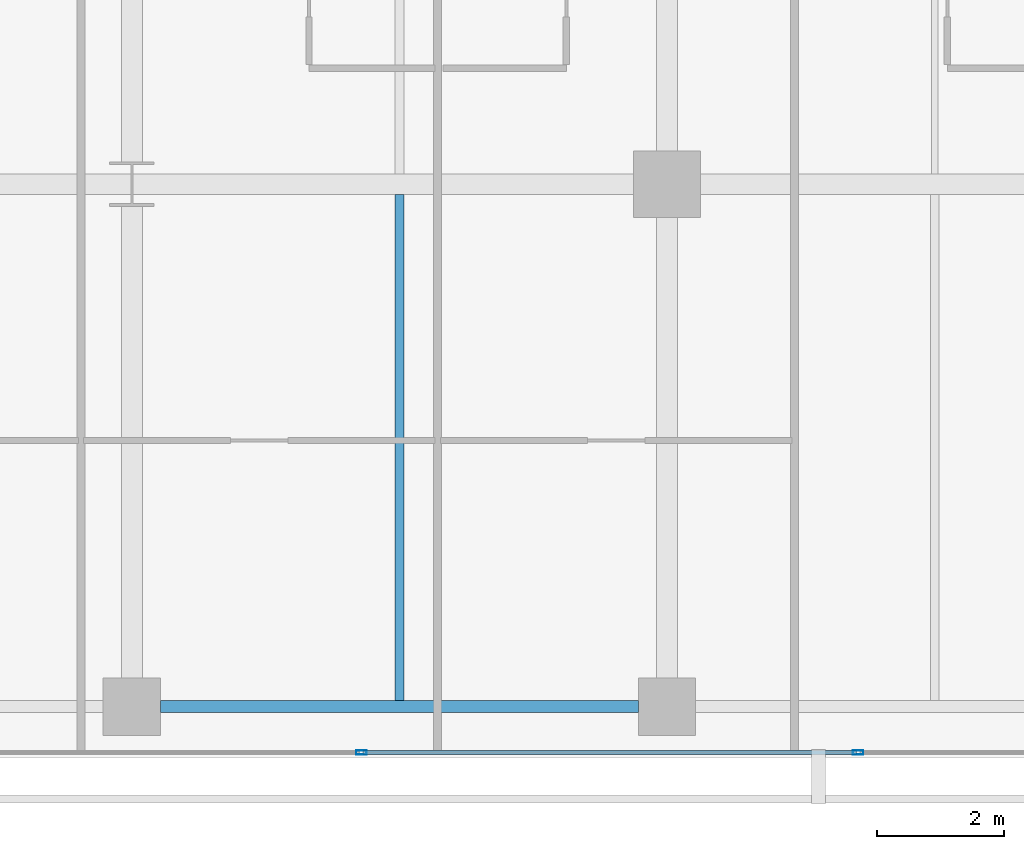
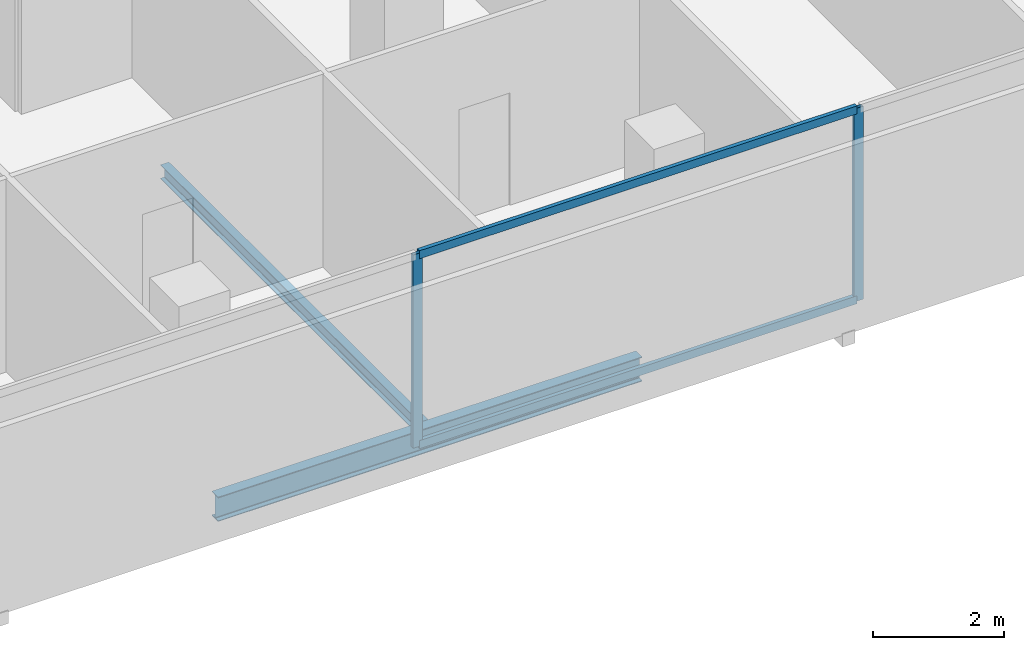
# One storey, part 14 of 40: 4 members, 2 beams, 1 element without a shape of its own.
"""IFC4 building model written with IfcOpenShell, lengths in metres."""

import ifcopenshell
import ifcopenshell.guid

model = None  # the IFC model being written
_history = None  # IfcOwnerHistory: only IFC2X3 demands one
_inside = {}  # id of a spatial element -> (the spatial element, [elements in it])
_under = {}  # id of a project, library or spatial element -> (it, [spatial elements below it])
_declared = {}  # id of a project -> (the project, [libraries it declares])
_typed = {}  # id of a type object -> (the type object, [elements of that type])
_made_of = {}  # id of a material, layer set ... -> (it, [elements and type objects made of it])


def new_model(schema):
    """Start an empty IFC model of exactly this schema.

    Asked for "IFC4X3", IfcOpenShell would pick the latest addendum, in which some entities
    have other attributes; the version numbers below select the first issue.
    IFC2X3 requires an IfcOwnerHistory on every rooted entity: one is made here for all.
    """
    global model, _history
    if schema == "IFC4X3":
        model = ifcopenshell.file(schema_version=(4, 3, 0, 0))
    else:
        model = ifcopenshell.file(schema=schema)
    _inside.clear()
    _under.clear()
    _declared.clear()
    _typed.clear()
    _made_of.clear()
    _history = None
    if model.schema == "IFC2X3":
        org = make("IfcOrganization", Name="unknown")
        user = make(
            "IfcPersonAndOrganization",
            ThePerson=make("IfcPerson", FamilyName="unknown"),
            TheOrganization=org,
        )
        app = make(
            "IfcApplication",
            ApplicationDeveloper=org,
            Version="unknown",
            ApplicationFullName="unknown",
            ApplicationIdentifier="unknown",
        )
        _history = make(
            "IfcOwnerHistory",
            OwningUser=user,
            OwningApplication=app,
            ChangeAction="ADDED",
            CreationDate=0,
        )
    return model


def make(cls, **values):
    """One entity of the class cls with the attributes given. An attribute that is None is left unset."""
    return model.create_entity(
        cls, **{name: value for name, value in values.items() if value is not None}
    )


def rooted(cls, **values):
    """An entity with a GlobalId (a new one), such as an element, a storey or a relation."""
    return make(cls, GlobalId=ifcopenshell.guid.new(), OwnerHistory=_history, **values)


def si_unit(unit_type, name, prefix=None):
    """IfcSIUnit, for example si_unit("LENGTHUNIT", "METRE", prefix="MILLI")."""
    return make("IfcSIUnit", UnitType=unit_type, Prefix=prefix, Name=name)


def assignment(units):
    """IfcUnitAssignment: the units of a project."""
    return None if units is None else make("IfcUnitAssignment", Units=units)


def point(xyz):
    """IfcCartesianPoint."""
    return None if xyz is None else make("IfcCartesianPoint", Coordinates=xyz)


def direction(xyz):
    """IfcDirection."""
    return None if xyz is None else make("IfcDirection", DirectionRatios=xyz)


def frame(location, z_axis=None, x_axis=None):
    """IfcAxis2Placement3D, a coordinate frame: its origin and axes. An axis left out is left unset."""
    return make(
        "IfcAxis2Placement3D",
        Location=point(location),
        Axis=direction(z_axis),
        RefDirection=direction(x_axis),
    )


def frame_2d(location, x_axis=None):
    """IfcAxis2Placement2D, a coordinate frame in the plane: its origin and x axis."""
    return make(
        "IfcAxis2Placement2D", Location=point(location), RefDirection=direction(x_axis)
    )


def origin():
    """The frame at (0, 0, 0) with its axes left unset."""
    return frame((0.0, 0.0, 0.0))


def origin_2d():
    """The frame at (0, 0) in the plane with its x axis left unset."""
    return frame_2d((0.0, 0.0))


def place(relative_to, where):
    """IfcLocalPlacement: puts the frame where relative to a parent placement (None: the world)."""
    return make(
        "IfcLocalPlacement", PlacementRelTo=relative_to, RelativePlacement=where
    )


def context(
    kind, dimensions, precision=None, world=None, true_north=None, identifier=None
):
    """IfcGeometricRepresentationContext, for example the 3D "Model" context."""
    return make(
        "IfcGeometricRepresentationContext",
        ContextIdentifier=identifier,
        ContextType=kind,
        CoordinateSpaceDimension=dimensions,
        Precision=precision,
        WorldCoordinateSystem=world,
        TrueNorth=true_north,
    )


def subcontext(parent, identifier, kind, view, scale=None):
    """IfcGeometricRepresentationSubContext, for example "Body" below "Model"."""
    return make(
        "IfcGeometricRepresentationSubContext",
        ContextIdentifier=identifier,
        ContextType=kind,
        ParentContext=parent,
        TargetScale=scale,
        TargetView=view,
    )


def project(units=None, contexts=None):
    """IfcProject with its units and contexts."""
    return rooted(
        "IfcProject",
        Name="project",
        RepresentationContexts=contexts,
        UnitsInContext=assignment(units),
    )


def spatial(cls, under=None, at=None, **own):
    """A site, building, storey or space (cls), placed at a placement, below another one or the project."""
    s = rooted(cls, ObjectPlacement=at, **own)
    if under is not None:
        _under.setdefault(under.id(), (under, []))[1].append(s)
    return s


def profile(cls, at=None, kind="AREA", **sizes):
    """A parametric profile (cls). Its sizes go by their IFC names, for example OverallWidth=200.0."""
    return make(cls, ProfileType=kind, Position=at, **sizes)


def hollow_rectangle(**sizes):
    """IfcRectangleHollowProfileDef."""
    return profile("IfcRectangleHollowProfileDef", **sizes)


def i_section(**sizes):
    """IfcIShapeProfileDef."""
    return profile("IfcIShapeProfileDef", **sizes)


def extrude(swept, where, along, depth):
    """IfcExtrudedAreaSolid: the profile swept, set in the frame where, extruded along a direction by depth."""
    return make(
        "IfcExtrudedAreaSolid",
        SweptArea=swept,
        Position=where,
        ExtrudedDirection=direction(along),
        Depth=depth,
    )


def shape(context_of_items, identifier, shape_type, items):
    """IfcShapeRepresentation: the items that make up one representation, for example the "Body"."""
    return make(
        "IfcShapeRepresentation",
        ContextOfItems=context_of_items,
        RepresentationIdentifier=identifier,
        RepresentationType=shape_type,
        Items=items,
    )


def material(Name=None, Category=None):
    """IfcMaterial."""
    return make("IfcMaterial", Name=Name, Category=Category)


def layer(
    of_material, thickness, ventilated=None, Name=None, Category=None, Priority=None
):
    """IfcMaterialLayer: one layer of a wall or slab, of a material (None: an air gap)."""
    return make(
        "IfcMaterialLayer",
        Material=of_material,
        LayerThickness=thickness,
        IsVentilated=ventilated,
        Name=Name,
        Category=Category,
        Priority=Priority,
    )


def layer_set(layers, Name=None):
    """IfcMaterialLayerSet."""
    return make("IfcMaterialLayerSet", MaterialLayers=layers, LayerSetName=Name)


def material_profile(
    of_material, cross_section, Name=None, Category=None, Priority=None
):
    """IfcMaterialProfile: a cross section and its material."""
    return make(
        "IfcMaterialProfile",
        Name=Name,
        Material=of_material,
        Profile=cross_section,
        Priority=Priority,
        Category=Category,
    )


def profile_set(profiles, Name=None, composite=None):
    """IfcMaterialProfileSet."""
    return make(
        "IfcMaterialProfileSet",
        Name=Name,
        MaterialProfiles=profiles,
        CompositeProfile=composite,
    )


def made_of(thing, what):
    """Note that an element or type object is made of a material, layer set ...; save() writes the relation."""
    if what is not None:
        _made_of.setdefault(what.id(), (what, []))[1].append(thing)
    return thing


def type_object(cls, material=None, **own):
    """A type object (cls), such as IfcWallType, which elements share."""
    return made_of(rooted(cls, **own), material)


def element(
    cls,
    number,
    at=None,
    inside=None,
    cuts=None,
    type_object=None,
    material=None,
    context=None,
    identifier="Body",
    shape_type=None,
    held_by="IfcProductDefinitionShape",
    body=None,
    shapes=None,
    **own,
):
    """One element of the class cls, such as IfcWall. Its Tag is "e" and its number.

    at: its placement. inside: the storey or other place that contains it. cuts: it is an
    opening in that element (IfcRelVoidsElement). A single representation is given by context,
    identifier, shape_type and body (its items); several are given by shapes. held_by: the class
    of the entity that holds the representations. save() writes the other relations.
    """
    e = rooted(cls, Tag="e%d" % number, ObjectPlacement=at, **own)
    if body is not None:
        shapes = [shape(context, identifier, shape_type, body)]
    if shapes is not None:
        e.Representation = make(held_by, Representations=shapes)
    if inside is not None:
        _inside.setdefault(inside.id(), (inside, []))[1].append(e)
    if cuts is not None:
        rooted(
            "IfcRelVoidsElement", RelatingBuildingElement=cuts, RelatedOpeningElement=e
        )
    if type_object is not None:
        _typed.setdefault(type_object.id(), (type_object, []))[1].append(e)
    return made_of(e, material)


def aggregate(whole, parts):
    """IfcRelAggregates: a whole, such as a stair, and the parts it consists of."""
    return rooted("IfcRelAggregates", RelatingObject=whole, RelatedObjects=parts)


def save(model, path):
    """Write the relations noted so far, then the file.

    IfcRelAggregates (storeys below a building ...), IfcRelContainedInSpatialStructure (elements
    in a storey), IfcRelDefinesByType, IfcRelAssociatesMaterial and IfcRelDeclares: one each for
    every whole, place, type object, material and project.
    """
    for whole, parts in _under.values():
        aggregate(whole, parts)
    for where, things in _inside.values():
        rooted(
            "IfcRelContainedInSpatialStructure",
            RelatedElements=things,
            RelatingStructure=where,
        )
    for kind, things in _typed.values():
        rooted("IfcRelDefinesByType", RelatedObjects=things, RelatingType=kind)
    for what, things in _made_of.values():
        rooted("IfcRelAssociatesMaterial", RelatedObjects=things, RelatingMaterial=what)
    for by, libraries in _declared.values():
        rooted("IfcRelDeclares", RelatingContext=by, RelatedDefinitions=libraries)
    model.write(path)


model = new_model("IFC4")

# Units and contexts
model_context = context("Model", 3, precision=1e-05, world=origin(), true_north=direction((0.0, 1.0)))
body_context = subcontext(model_context, "Body", "Model", "MODEL_VIEW")
ifc_project = project(units=[si_unit("LENGTHUNIT", "METRE"), si_unit("AREAUNIT", "SQUARE_METRE"), si_unit("VOLUMEUNIT", "CUBIC_METRE"), si_unit("PLANEANGLEUNIT", "RADIAN"), si_unit("MASSUNIT", "GRAM", prefix="KILO")], contexts=[model_context])

# Site, building, storey
site_placement = place(None, origin())
site = spatial("IfcSite", under=ifc_project, at=site_placement, CompositionType="ELEMENT")
building_placement = place(site_placement, origin())
building = spatial("IfcBuilding", under=site, at=building_placement, Name="Maruvema Waterfront Hotel and Observation Tower", CompositionType="ELEMENT")
storey_placement = place(building_placement, frame((0.0, 0.0, 53.89990234375)))
storey = spatial("IfcBuildingStorey", under=building, at=storey_placement, Name="L12", CompositionType="ELEMENT", Elevation=53.89990234375)

# Curtain wall, members
ifc_material_1 = material(Name="Anodised bronze aluminium and solar-control low-E IGU", Category="aluminium")
ifc_layer = layer(ifc_material_1, 0.159912109375, Name="Zone 1 Bronze Inner Thermal Curtain Wall System CW-02")
ifc_layer_set = layer_set([ifc_layer], Name="Anodised bronze aluminium and solar-control low-E IGU")
curtain_wall_type = type_object("IfcCurtainWallType", Name="Zone 1 Bronze Inner Thermal Curtain Wall System CW-02", PredefinedType="USERDEFINED", material=ifc_layer_set)
curtain_wall_placement = place(storey_placement, origin())
curtain_wall = element("IfcCurtainWall", 1, at=curtain_wall_placement, inside=storey, type_object=curtain_wall_type, Name="L12 Curtain Wall CW-L12-S", ObjectType="UNITISED CURTAIN WALL", PredefinedType="USERDEFINED")
ifc_material_2 = material(Name="Anodised architectural bronze aluminium", Category="aluminium")
ifc_material_profile_1 = material_profile(ifc_material_2, hollow_rectangle(XDim=0.070068359375, YDim=0.14990234375, WallThickness=0.00390625, at=origin_2d()), Name="ALU-T70x150")
ifc_profile_set_1 = profile_set([ifc_material_profile_1], Name="Anodised architectural bronze aluminium")
member_type_1 = type_object("IfcMemberType", Name="Curtain Wall Horizontal Transom ALU-T70x150", PredefinedType="USERDEFINED", material=ifc_profile_set_1)
member_1_placement = place(storey_placement, frame((45.6298828125, 0.080078125, 0.030029296875), z_axis=(1.0, 0.0, 0.0), x_axis=(0.0, 1.0, 0.0)))
member_1 = element("IfcMember", 2, at=member_1_placement, type_object=member_type_1, Name="CW-02 transom 5.1", ObjectType="TRANSOM", PredefinedType="USERDEFINED", context=body_context, shape_type="SweptSolid", body=[
    extrude(hollow_rectangle(XDim=0.070068359375, YDim=0.14990234375, WallThickness=0.00390625, at=origin_2d()), origin(), (0.0, 0.0, 1.0), 7.740234375),
])
member_2_placement = place(storey_placement, frame((45.6298828125, 0.080078125, 3.580078125), z_axis=(1.0, 0.0, 0.0), x_axis=(0.0, 1.0, 0.0)))
member_2 = element("IfcMember", 3, at=member_2_placement, type_object=member_type_1, Name="CW-02 transom 5.2", ObjectType="TRANSOM", PredefinedType="USERDEFINED", context=body_context, shape_type="SweptSolid", body=[
    extrude(hollow_rectangle(XDim=0.070068359375, YDim=0.14990234375, WallThickness=0.00390625, at=origin_2d()), origin(), (0.0, 0.0, 1.0), 7.740234375),
])
ifc_material_3 = material(Name="Anodised architectural bronze aluminium", Category="aluminium")
ifc_material_profile_2 = material_profile(ifc_material_3, hollow_rectangle(XDim=0.06494140625, YDim=0.1650390625, WallThickness=0.00390625, at=origin_2d()), Name="ALU-M65x165")
ifc_profile_set_2 = profile_set([ifc_material_profile_2], Name="Anodised architectural bronze aluminium")
member_type_2 = type_object("IfcMemberType", Name="Curtain Wall Primary Mullion ALU-M65x165", PredefinedType="MULLION", material=ifc_profile_set_2)
member_3_placement = place(storey_placement, frame((45.60009765625, 0.080078125, 0.0), z_axis=(0.0, 0.0, 1.0), x_axis=(0.0, 1.0, 0.0)))
member_3 = element("IfcMember", 4, at=member_3_placement, type_object=member_type_2, Name="CW-02 mullion 5", PredefinedType="MULLION", context=body_context, shape_type="SweptSolid", body=[
    extrude(hollow_rectangle(XDim=0.06494140625, YDim=0.1650390625, WallThickness=0.00390625, at=origin_2d()), origin(), (0.0, 0.0, 1.0), 3.610107421875),
])
member_4_placement = place(storey_placement, frame((53.39990234375, 0.080078125, 0.0), z_axis=(0.0, 0.0, 1.0), x_axis=(0.0, 1.0, 0.0)))
member_4 = element("IfcMember", 5, at=member_4_placement, type_object=member_type_2, Name="CW-02 mullion 6", PredefinedType="MULLION", context=body_context, shape_type="SweptSolid", body=[
    extrude(hollow_rectangle(XDim=0.06494140625, YDim=0.1650390625, WallThickness=0.00390625, at=origin_2d()), origin(), (0.0, 0.0, 1.0), 3.610107421875),
])
aggregate(curtain_wall, [member_3, member_4, member_1, member_2])

# Beams
ifc_material_4 = material(Name="Steel ASTM A572 Grade 50", Category="steel")
ifc_material_profile_3 = material_profile(ifc_material_4, i_section(OverallWidth=0.18994140625, OverallDepth=0.45703125, WebThickness=0.009033203125, FlangeThickness=0.014404296875, FilletRadius=0.014892578125, at=origin_2d()), Name="W460x74.0")
ifc_profile_set_3 = profile_set([ifc_material_profile_3], Name="Steel ASTM A572 Grade 50")
beam_type_1 = type_object("IfcBeamType", Name="Perimeter Spandrel Beam W460x74.0", PredefinedType="SPANDREL", material=ifc_profile_set_3)
beam_1_placement = place(storey_placement, frame((42.449951171875, 0.800048828125, -0.468505859375), z_axis=(1.0, 0.0, 0.0), x_axis=(0.0, 1.0, 0.0)))
element("IfcBeam", 6, at=beam_1_placement, inside=storey, type_object=beam_type_1, Name="L12 Floor Girder EW-04", PredefinedType="SPANDREL", context=body_context, shape_type="SweptSolid", body=[
    extrude(i_section(OverallWidth=0.18994140625, OverallDepth=0.45703125, WebThickness=0.009033203125, FlangeThickness=0.014404296875, FilletRadius=0.014892578125, at=origin_2d()), origin(), (0.0, 0.0, 1.0), 7.5),
])
ifc_material_5 = material(Name="Steel ASTM A572 Grade 50", Category="steel")
ifc_material_profile_4 = material_profile(ifc_material_5, i_section(OverallWidth=0.14794921875, OverallDepth=0.26611328125, WebThickness=0.007568359375, FlangeThickness=0.012939453125, FilletRadius=0.012939453125, at=origin_2d()), Name="W250x44.8")
ifc_profile_set_4 = profile_set([ifc_material_profile_4], Name="Steel ASTM A572 Grade 50")
beam_type_2 = type_object("IfcBeamType", Name="Secondary Floor Joist W250x44.8", PredefinedType="JOIST", material=ifc_profile_set_4)
beam_2_placement = place(storey_placement, frame((46.199951171875, 0.89501953125, -0.372802734375), z_axis=(0.0, 1.0, 0.0), x_axis=(-1.0, 0.0, 0.0)))
element("IfcBeam", 7, at=beam_2_placement, inside=storey, type_object=beam_type_2, Name="L12 Secondary Floor Joist JS-14", PredefinedType="JOIST", context=body_context, shape_type="SweptSolid", body=[
    extrude(i_section(OverallWidth=0.14794921875, OverallDepth=0.26611328125, WebThickness=0.007568359375, FlangeThickness=0.012939453125, FilletRadius=0.012939453125, at=origin_2d()), origin(), (0.0, 0.0, 1.0), 7.94140625),
])

save(model, "model.ifc")
